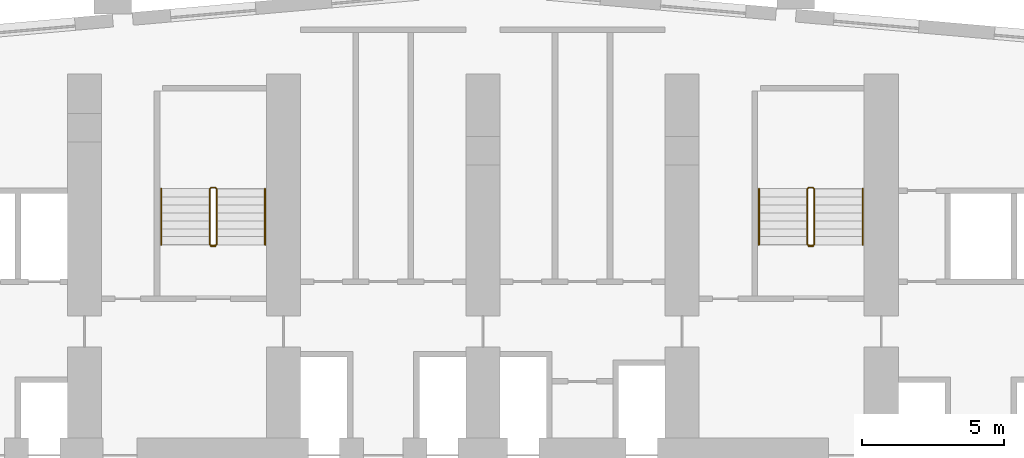
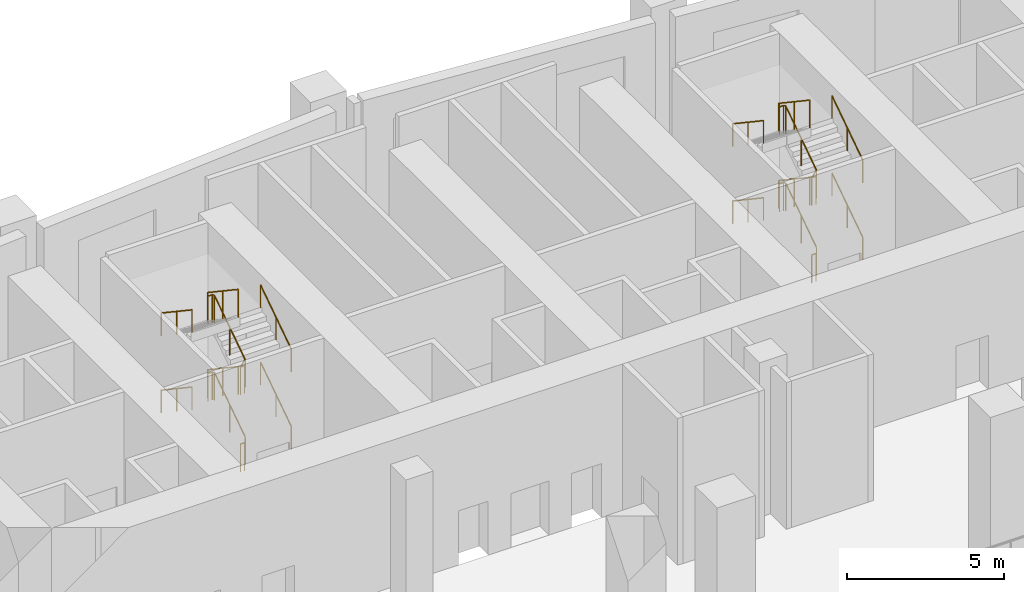
# One storey, part 29 of 30: 12 railings.
"""IFC4 building model written with IfcOpenShell, lengths in metres."""

import ifcopenshell
import ifcopenshell.guid

model = None  # the IFC model being written
_history = None  # IfcOwnerHistory: only IFC2X3 demands one
_inside = {}  # id of a spatial element -> (the spatial element, [elements in it])
_under = {}  # id of a project, library or spatial element -> (it, [spatial elements below it])
_declared = {}  # id of a project -> (the project, [libraries it declares])
_typed = {}  # id of a type object -> (the type object, [elements of that type])
_made_of = {}  # id of a material, layer set ... -> (it, [elements and type objects made of it])


def new_model(schema):
    """Start an empty IFC model of exactly this schema.

    Asked for "IFC4X3", IfcOpenShell would pick the latest addendum, in which some entities
    have other attributes; the version numbers below select the first issue.
    IFC2X3 requires an IfcOwnerHistory on every rooted entity: one is made here for all.
    """
    global model, _history
    if schema == "IFC4X3":
        model = ifcopenshell.file(schema_version=(4, 3, 0, 0))
    else:
        model = ifcopenshell.file(schema=schema)
    _inside.clear()
    _under.clear()
    _declared.clear()
    _typed.clear()
    _made_of.clear()
    _history = None
    if model.schema == "IFC2X3":
        org = make("IfcOrganization", Name="unknown")
        user = make(
            "IfcPersonAndOrganization",
            ThePerson=make("IfcPerson", FamilyName="unknown"),
            TheOrganization=org,
        )
        app = make(
            "IfcApplication",
            ApplicationDeveloper=org,
            Version="unknown",
            ApplicationFullName="unknown",
            ApplicationIdentifier="unknown",
        )
        _history = make(
            "IfcOwnerHistory",
            OwningUser=user,
            OwningApplication=app,
            ChangeAction="ADDED",
            CreationDate=0,
        )
    return model


def make(cls, **values):
    """One entity of the class cls with the attributes given. An attribute that is None is left unset."""
    return model.create_entity(
        cls, **{name: value for name, value in values.items() if value is not None}
    )


def rooted(cls, **values):
    """An entity with a GlobalId (a new one), such as an element, a storey or a relation."""
    return make(cls, GlobalId=ifcopenshell.guid.new(), OwnerHistory=_history, **values)


def si_unit(unit_type, name, prefix=None):
    """IfcSIUnit, for example si_unit("LENGTHUNIT", "METRE", prefix="MILLI")."""
    return make("IfcSIUnit", UnitType=unit_type, Prefix=prefix, Name=name)


def assignment(units):
    """IfcUnitAssignment: the units of a project."""
    return None if units is None else make("IfcUnitAssignment", Units=units)


def point(xyz):
    """IfcCartesianPoint."""
    return None if xyz is None else make("IfcCartesianPoint", Coordinates=xyz)


def direction(xyz):
    """IfcDirection."""
    return None if xyz is None else make("IfcDirection", DirectionRatios=xyz)


def frame(location, z_axis=None, x_axis=None):
    """IfcAxis2Placement3D, a coordinate frame: its origin and axes. An axis left out is left unset."""
    return make(
        "IfcAxis2Placement3D",
        Location=point(location),
        Axis=direction(z_axis),
        RefDirection=direction(x_axis),
    )


def frame_2d(location, x_axis=None):
    """IfcAxis2Placement2D, a coordinate frame in the plane: its origin and x axis."""
    return make(
        "IfcAxis2Placement2D", Location=point(location), RefDirection=direction(x_axis)
    )


def origin():
    """The frame at (0, 0, 0) with its axes left unset."""
    return frame((0.0, 0.0, 0.0))


def origin_2d():
    """The frame at (0, 0) in the plane with its x axis left unset."""
    return frame_2d((0.0, 0.0))


def place(relative_to, where):
    """IfcLocalPlacement: puts the frame where relative to a parent placement (None: the world)."""
    return make(
        "IfcLocalPlacement", PlacementRelTo=relative_to, RelativePlacement=where
    )


def context(
    kind, dimensions, precision=None, world=None, true_north=None, identifier=None
):
    """IfcGeometricRepresentationContext, for example the 3D "Model" context."""
    return make(
        "IfcGeometricRepresentationContext",
        ContextIdentifier=identifier,
        ContextType=kind,
        CoordinateSpaceDimension=dimensions,
        Precision=precision,
        WorldCoordinateSystem=world,
        TrueNorth=true_north,
    )


def subcontext(parent, identifier, kind, view, scale=None):
    """IfcGeometricRepresentationSubContext, for example "Body" below "Model"."""
    return make(
        "IfcGeometricRepresentationSubContext",
        ContextIdentifier=identifier,
        ContextType=kind,
        ParentContext=parent,
        TargetScale=scale,
        TargetView=view,
    )


def project(units=None, contexts=None):
    """IfcProject with its units and contexts."""
    return rooted(
        "IfcProject",
        Name="project",
        RepresentationContexts=contexts,
        UnitsInContext=assignment(units),
    )


def spatial(cls, under=None, at=None, **own):
    """A site, building, storey or space (cls), placed at a placement, below another one or the project."""
    s = rooted(cls, ObjectPlacement=at, **own)
    if under is not None:
        _under.setdefault(under.id(), (under, []))[1].append(s)
    return s


def profile(cls, at=None, kind="AREA", **sizes):
    """A parametric profile (cls). Its sizes go by their IFC names, for example OverallWidth=200.0."""
    return make(cls, ProfileType=kind, Position=at, **sizes)


def circle(**sizes):
    """IfcCircleProfileDef."""
    return profile("IfcCircleProfileDef", **sizes)


def extrude(swept, where, along, depth):
    """IfcExtrudedAreaSolid: the profile swept, set in the frame where, extruded along a direction by depth."""
    return make(
        "IfcExtrudedAreaSolid",
        SweptArea=swept,
        Position=where,
        ExtrudedDirection=direction(along),
        Depth=depth,
    )


def shape(context_of_items, identifier, shape_type, items):
    """IfcShapeRepresentation: the items that make up one representation, for example the "Body"."""
    return make(
        "IfcShapeRepresentation",
        ContextOfItems=context_of_items,
        RepresentationIdentifier=identifier,
        RepresentationType=shape_type,
        Items=items,
    )


def material(Name=None, Category=None):
    """IfcMaterial."""
    return make("IfcMaterial", Name=Name, Category=Category)


def made_of(thing, what):
    """Note that an element or type object is made of a material, layer set ...; save() writes the relation."""
    if what is not None:
        _made_of.setdefault(what.id(), (what, []))[1].append(thing)
    return thing


def type_object(cls, material=None, **own):
    """A type object (cls), such as IfcWallType, which elements share."""
    return made_of(rooted(cls, **own), material)


def element(
    cls,
    number,
    at=None,
    inside=None,
    cuts=None,
    type_object=None,
    material=None,
    context=None,
    identifier="Body",
    shape_type=None,
    held_by="IfcProductDefinitionShape",
    body=None,
    shapes=None,
    **own,
):
    """One element of the class cls, such as IfcWall. Its Tag is "e" and its number.

    at: its placement. inside: the storey or other place that contains it. cuts: it is an
    opening in that element (IfcRelVoidsElement). A single representation is given by context,
    identifier, shape_type and body (its items); several are given by shapes. held_by: the class
    of the entity that holds the representations. save() writes the other relations.
    """
    e = rooted(cls, Tag="e%d" % number, ObjectPlacement=at, **own)
    if body is not None:
        shapes = [shape(context, identifier, shape_type, body)]
    if shapes is not None:
        e.Representation = make(held_by, Representations=shapes)
    if inside is not None:
        _inside.setdefault(inside.id(), (inside, []))[1].append(e)
    if cuts is not None:
        rooted(
            "IfcRelVoidsElement", RelatingBuildingElement=cuts, RelatedOpeningElement=e
        )
    if type_object is not None:
        _typed.setdefault(type_object.id(), (type_object, []))[1].append(e)
    return made_of(e, material)


def aggregate(whole, parts):
    """IfcRelAggregates: a whole, such as a stair, and the parts it consists of."""
    return rooted("IfcRelAggregates", RelatingObject=whole, RelatedObjects=parts)


def save(model, path):
    """Write the relations noted so far, then the file.

    IfcRelAggregates (storeys below a building ...), IfcRelContainedInSpatialStructure (elements
    in a storey), IfcRelDefinesByType, IfcRelAssociatesMaterial and IfcRelDeclares: one each for
    every whole, place, type object, material and project.
    """
    for whole, parts in _under.values():
        aggregate(whole, parts)
    for where, things in _inside.values():
        rooted(
            "IfcRelContainedInSpatialStructure",
            RelatedElements=things,
            RelatingStructure=where,
        )
    for kind, things in _typed.values():
        rooted("IfcRelDefinesByType", RelatedObjects=things, RelatingType=kind)
    for what, things in _made_of.values():
        rooted("IfcRelAssociatesMaterial", RelatedObjects=things, RelatingMaterial=what)
    for by, libraries in _declared.values():
        rooted("IfcRelDeclares", RelatingContext=by, RelatedDefinitions=libraries)
    model.write(path)


model = new_model("IFC4")

# Units and contexts
model_context = context("Model", 3, precision=1e-05, world=origin(), true_north=direction((0.0, 1.0)))
body_context = subcontext(model_context, "Body", "Model", "MODEL_VIEW")
ifc_project = project(units=[si_unit("LENGTHUNIT", "METRE"), si_unit("AREAUNIT", "SQUARE_METRE"), si_unit("VOLUMEUNIT", "CUBIC_METRE"), si_unit("PLANEANGLEUNIT", "RADIAN"), si_unit("MASSUNIT", "GRAM", prefix="KILO")], contexts=[model_context])

# Site, building, storey
site_placement = place(None, origin())
site = spatial("IfcSite", under=ifc_project, at=site_placement, CompositionType="ELEMENT")
building_placement = place(site_placement, origin())
building = spatial("IfcBuilding", under=site, at=building_placement, Name="Wharfspan Tower", CompositionType="ELEMENT")
storey_placement = place(building_placement, frame((0.0, 0.0, 21.5)))
storey = spatial("IfcBuildingStorey", under=building, at=storey_placement, Name="L03", CompositionType="ELEMENT", Elevation=21.5)

# Railings
ifc_material = material(Name="Steel S355J2", Category="steel")
railing_type_1 = type_object("IfcRailingType", Name="Stair guard 1100", PredefinedType="GUARDRAIL", material=ifc_material)
railing_1_placement = place(storey_placement, frame((27.649902, 42.0, 0.1875)))
element("IfcRailing", 1, at=railing_1_placement, inside=storey, type_object=railing_type_1, Name="L03 ST1 stair guard 1", PredefinedType="GUARDRAIL", context=body_context, shape_type="SweptSolid", body=[
    extrude(circle(Radius=0.023926, at=origin_2d()), frame((0.0, 0.0, 1.076172), z_axis=(0.0, 0.830902, 0.556419), x_axis=(-1.0, 0.0, 0.0)), (0.0, 0.0, 1.0), 2.358887),
    extrude(circle(Radius=0.023926, at=origin_2d()), frame((0.0, 1.959961, 2.388672), z_axis=(-0.705376, 0.708834, 0.0), x_axis=(-0.708834, -0.705376, 0.0)), (0.0, 0.0, 1.0), 0.070557),
    extrude(circle(Radius=0.023926, at=origin_2d()), frame((-0.049805, 2.01001, 2.388672), z_axis=(-1.0, 0.0, 0.0), x_axis=(0.0, -1.0, 0.0)), (0.0, 0.0, 1.0), 0.150146),
    extrude(circle(Radius=0.023926, at=origin_2d()), frame((-0.199951, 2.01001, 2.388672), z_axis=(-0.249726, -0.249726, 0.93556), x_axis=(0.707107, -0.707107, 0.0)), (0.0, 0.0, 1.0), 0.200439),
    extrude(circle(Radius=0.023926, at=origin_2d()), frame((-0.25, 1.959961, 2.576172), z_axis=(0.0, -0.830902, 0.556419), x_axis=(1.0, 0.0, 0.0)), (0.0, 0.0, 1.0), 2.358887),
    extrude(circle(Radius=0.023926, at=origin_2d()), frame((-0.25, 0.0, 3.888672), z_axis=(0.970143, -0.242536, 0.0), x_axis=(0.242536, 0.970143, 0.0)), (0.0, 0.0, 1.0), 0.206299),
    extrude(circle(Radius=0.023926, at=origin_2d()), frame((-0.049805, -0.050049, 3.888672), z_axis=(-1.0, 0.0, 0.0), x_axis=(0.0, -1.0, 0.0)), (0.0, 0.0, 1.0), 0.150146),
    extrude(circle(Radius=0.023926, at=origin_2d()), frame((-0.199951, -0.050049, 3.888672), z_axis=(0.717591, 0.179617, 0.672905), x_axis=(-0.242812, 0.97007, -2e-06)), (0.0, 0.0, 1.0), 0.278564),
    extrude(circle(Radius=0.023926, at=origin_2d()), frame((0.0, 0.0, 4.076172), z_axis=(0.0, 0.830902, 0.556419), x_axis=(-1.0, 0.0, 0.0)), (0.0, 0.0, 1.0), 2.358887),
    extrude(circle(Radius=0.023926, at=origin_2d()), frame((0.0, 1.959961, 5.388672), z_axis=(-0.705376, 0.708834, 0.0), x_axis=(-0.708834, -0.705376, 0.0)), (0.0, 0.0, 1.0), 0.070557),
    extrude(circle(Radius=0.023926, at=origin_2d()), frame((-0.049805, 2.01001, 5.388672), z_axis=(-1.0, 0.0, 0.0), x_axis=(0.0, -1.0, 0.0)), (0.0, 0.0, 1.0), 0.150146),
    extrude(circle(Radius=0.023926, at=origin_2d()), frame((-0.199951, 2.01001, 5.388672), z_axis=(-0.249726, -0.249726, 0.93556), x_axis=(0.707107, -0.707107, 0.0)), (0.0, 0.0, 1.0), 0.200439),
    extrude(circle(Radius=0.023926, at=origin_2d()), frame((-0.25, 1.959961, 5.576172), z_axis=(0.0, -0.830902, 0.556419), x_axis=(1.0, 0.0, 0.0)), (0.0, 0.0, 1.0), 2.358887),
    extrude(circle(Radius=0.020996, at=origin_2d()), origin(), (0.0, 0.0, 1.0), 1.052002),
    extrude(circle(Radius=0.020996, at=origin_2d()), frame((0.0, 0.97998, 0.65625)), (0.0, 0.0, 1.0), 1.052002),
    extrude(circle(Radius=0.020996, at=origin_2d()), frame((0.0, 1.959961, 1.3125)), (0.0, 0.0, 1.0), 1.052002),
    extrude(circle(Radius=0.020996, at=origin_2d()), frame((-0.049805, 2.01001, 1.3125)), (0.0, 0.0, 1.0), 1.052002),
    extrude(circle(Radius=0.020996, at=origin_2d()), frame((-0.199951, 2.01001, 1.3125)), (0.0, 0.0, 1.0), 1.052002),
    extrude(circle(Radius=0.020996, at=origin_2d()), frame((-0.25, 1.959961, 1.5)), (0.0, 0.0, 1.0), 1.052002),
    extrude(circle(Radius=0.020996, at=origin_2d()), frame((-0.25, 0.97998, 2.15625)), (0.0, 0.0, 1.0), 1.052002),
    extrude(circle(Radius=0.020996, at=origin_2d()), frame((-0.25, 0.0, 2.8125)), (0.0, 0.0, 1.0), 1.052002),
    extrude(circle(Radius=0.020996, at=origin_2d()), frame((-0.049805, -0.050049, 2.8125)), (0.0, 0.0, 1.0), 1.052002),
    extrude(circle(Radius=0.020996, at=origin_2d()), frame((-0.199951, -0.050049, 2.8125)), (0.0, 0.0, 1.0), 1.052002),
    extrude(circle(Radius=0.020996, at=origin_2d()), frame((0.0, 0.0, 3.0)), (0.0, 0.0, 1.0), 1.052002),
    extrude(circle(Radius=0.020996, at=origin_2d()), frame((0.0, 0.97998, 3.65625)), (0.0, 0.0, 1.0), 1.052002),
    extrude(circle(Radius=0.020996, at=origin_2d()), frame((0.0, 1.959961, 4.3125)), (0.0, 0.0, 1.0), 1.052002),
    extrude(circle(Radius=0.020996, at=origin_2d()), frame((-0.049805, 2.01001, 4.3125)), (0.0, 0.0, 1.0), 1.052002),
    extrude(circle(Radius=0.020996, at=origin_2d()), frame((-0.199951, 2.01001, 4.3125)), (0.0, 0.0, 1.0), 1.052002),
    extrude(circle(Radius=0.020996, at=origin_2d()), frame((-0.25, 1.959961, 4.5)), (0.0, 0.0, 1.0), 1.052002),
    extrude(circle(Radius=0.020996, at=origin_2d()), frame((-0.25, 0.97998, 5.15625)), (0.0, 0.0, 1.0), 1.052002),
    extrude(circle(Radius=0.020996, at=origin_2d()), frame((-0.25, 0.0, 5.8125)), (0.0, 0.0, 1.0), 1.052002),
])
railing_2_placement = place(storey_placement, frame((27.600098, 41.949951, 0.0)))
element("IfcRailing", 2, at=railing_2_placement, inside=storey, type_object=railing_type_1, Name="L03 ST1 stair guard 2", PredefinedType="GUARDRAIL", context=body_context, shape_type="SweptSolid", body=[
    extrude(circle(Radius=0.023926, at=origin_2d()), frame((0.0, 0.0, 1.076172), z_axis=(-1.0, 0.0, 0.0), x_axis=(0.0, -1.0, 0.0)), (0.0, 0.0, 1.0), 0.150146),
    extrude(circle(Radius=0.020996, at=origin_2d()), origin(), (0.0, 0.0, 1.0), 1.052002),
    extrude(circle(Radius=0.020996, at=origin_2d()), frame((-0.150146, 0.0, 0.0)), (0.0, 0.0, 1.0), 1.052002),
])
railing_3_placement = place(storey_placement, frame((48.649902, 42.0, 0.1875)))
element("IfcRailing", 3, at=railing_3_placement, inside=storey, type_object=railing_type_1, Name="L03 ST2 stair guard 1", PredefinedType="GUARDRAIL", context=body_context, shape_type="SweptSolid", body=[
    extrude(circle(Radius=0.023926, at=origin_2d()), frame((0.0, 0.0, 1.076172), z_axis=(0.0, 0.830902, 0.556419), x_axis=(-1.0, 0.0, 0.0)), (0.0, 0.0, 1.0), 2.358887),
    extrude(circle(Radius=0.023926, at=origin_2d()), frame((0.0, 1.959961, 2.388672), z_axis=(-0.705376, 0.708834, 0.0), x_axis=(-0.708834, -0.705376, 0.0)), (0.0, 0.0, 1.0), 0.070557),
    extrude(circle(Radius=0.023926, at=origin_2d()), frame((-0.049805, 2.01001, 2.388672), z_axis=(-1.0, 0.0, 0.0), x_axis=(0.0, -1.0, 0.0)), (0.0, 0.0, 1.0), 0.150146),
    extrude(circle(Radius=0.023926, at=origin_2d()), frame((-0.199951, 2.01001, 2.388672), z_axis=(-0.249726, -0.249726, 0.93556), x_axis=(0.707107, -0.707107, 0.0)), (0.0, 0.0, 1.0), 0.200439),
    extrude(circle(Radius=0.023926, at=origin_2d()), frame((-0.25, 1.959961, 2.576172), z_axis=(0.0, -0.830902, 0.556419), x_axis=(1.0, 0.0, 0.0)), (0.0, 0.0, 1.0), 2.358887),
    extrude(circle(Radius=0.023926, at=origin_2d()), frame((-0.25, 0.0, 3.888672), z_axis=(0.970143, -0.242536, 0.0), x_axis=(0.242536, 0.970143, 0.0)), (0.0, 0.0, 1.0), 0.206299),
    extrude(circle(Radius=0.023926, at=origin_2d()), frame((-0.049805, -0.050049, 3.888672), z_axis=(-1.0, 0.0, 0.0), x_axis=(0.0, -1.0, 0.0)), (0.0, 0.0, 1.0), 0.150146),
    extrude(circle(Radius=0.023926, at=origin_2d()), frame((-0.199951, -0.050049, 3.888672), z_axis=(0.717591, 0.179617, 0.672905), x_axis=(-0.242812, 0.97007, -2e-06)), (0.0, 0.0, 1.0), 0.278564),
    extrude(circle(Radius=0.023926, at=origin_2d()), frame((0.0, 0.0, 4.076172), z_axis=(0.0, 0.830902, 0.556419), x_axis=(-1.0, 0.0, 0.0)), (0.0, 0.0, 1.0), 2.358887),
    extrude(circle(Radius=0.023926, at=origin_2d()), frame((0.0, 1.959961, 5.388672), z_axis=(-0.705376, 0.708834, 0.0), x_axis=(-0.708834, -0.705376, 0.0)), (0.0, 0.0, 1.0), 0.070557),
    extrude(circle(Radius=0.023926, at=origin_2d()), frame((-0.049805, 2.01001, 5.388672), z_axis=(-1.0, 0.0, 0.0), x_axis=(0.0, -1.0, 0.0)), (0.0, 0.0, 1.0), 0.150146),
    extrude(circle(Radius=0.023926, at=origin_2d()), frame((-0.199951, 2.01001, 5.388672), z_axis=(-0.249726, -0.249726, 0.93556), x_axis=(0.707107, -0.707107, 0.0)), (0.0, 0.0, 1.0), 0.200439),
    extrude(circle(Radius=0.023926, at=origin_2d()), frame((-0.25, 1.959961, 5.576172), z_axis=(0.0, -0.830902, 0.556419), x_axis=(1.0, 0.0, 0.0)), (0.0, 0.0, 1.0), 2.358887),
    extrude(circle(Radius=0.020996, at=origin_2d()), origin(), (0.0, 0.0, 1.0), 1.052002),
    extrude(circle(Radius=0.020996, at=origin_2d()), frame((0.0, 0.97998, 0.65625)), (0.0, 0.0, 1.0), 1.052002),
    extrude(circle(Radius=0.020996, at=origin_2d()), frame((0.0, 1.959961, 1.3125)), (0.0, 0.0, 1.0), 1.052002),
    extrude(circle(Radius=0.020996, at=origin_2d()), frame((-0.049805, 2.01001, 1.3125)), (0.0, 0.0, 1.0), 1.052002),
    extrude(circle(Radius=0.020996, at=origin_2d()), frame((-0.199951, 2.01001, 1.3125)), (0.0, 0.0, 1.0), 1.052002),
    extrude(circle(Radius=0.020996, at=origin_2d()), frame((-0.25, 1.959961, 1.5)), (0.0, 0.0, 1.0), 1.052002),
    extrude(circle(Radius=0.020996, at=origin_2d()), frame((-0.25, 0.97998, 2.15625)), (0.0, 0.0, 1.0), 1.052002),
    extrude(circle(Radius=0.020996, at=origin_2d()), frame((-0.25, 0.0, 2.8125)), (0.0, 0.0, 1.0), 1.052002),
    extrude(circle(Radius=0.020996, at=origin_2d()), frame((-0.049805, -0.050049, 2.8125)), (0.0, 0.0, 1.0), 1.052002),
    extrude(circle(Radius=0.020996, at=origin_2d()), frame((-0.199951, -0.050049, 2.8125)), (0.0, 0.0, 1.0), 1.052002),
    extrude(circle(Radius=0.020996, at=origin_2d()), frame((0.0, 0.0, 3.0)), (0.0, 0.0, 1.0), 1.052002),
    extrude(circle(Radius=0.020996, at=origin_2d()), frame((0.0, 0.97998, 3.65625)), (0.0, 0.0, 1.0), 1.052002),
    extrude(circle(Radius=0.020996, at=origin_2d()), frame((0.0, 1.959961, 4.3125)), (0.0, 0.0, 1.0), 1.052002),
    extrude(circle(Radius=0.020996, at=origin_2d()), frame((-0.049805, 2.01001, 4.3125)), (0.0, 0.0, 1.0), 1.052002),
    extrude(circle(Radius=0.020996, at=origin_2d()), frame((-0.199951, 2.01001, 4.3125)), (0.0, 0.0, 1.0), 1.052002),
    extrude(circle(Radius=0.020996, at=origin_2d()), frame((-0.25, 1.959961, 4.5)), (0.0, 0.0, 1.0), 1.052002),
    extrude(circle(Radius=0.020996, at=origin_2d()), frame((-0.25, 0.97998, 5.15625)), (0.0, 0.0, 1.0), 1.052002),
    extrude(circle(Radius=0.020996, at=origin_2d()), frame((-0.25, 0.0, 5.8125)), (0.0, 0.0, 1.0), 1.052002),
])
railing_4_placement = place(storey_placement, frame((48.600098, 41.949951, 0.0)))
element("IfcRailing", 4, at=railing_4_placement, inside=storey, type_object=railing_type_1, Name="L03 ST2 stair guard 2", PredefinedType="GUARDRAIL", context=body_context, shape_type="SweptSolid", body=[
    extrude(circle(Radius=0.023926, at=origin_2d()), frame((0.0, 0.0, 1.076172), z_axis=(-1.0, 0.0, 0.0), x_axis=(0.0, -1.0, 0.0)), (0.0, 0.0, 1.0), 0.150146),
    extrude(circle(Radius=0.020996, at=origin_2d()), origin(), (0.0, 0.0, 1.0), 1.052002),
    extrude(circle(Radius=0.020996, at=origin_2d()), frame((-0.150146, 0.0, 0.0)), (0.0, 0.0, 1.0), 1.052002),
])
railing_type_2 = type_object("IfcRailingType", Name="Stair handrail 900", PredefinedType="HANDRAIL", material=ifc_material)
railing_5_placement = place(storey_placement, frame((29.350098, 42.0, 0.1875)))
element("IfcRailing", 5, at=railing_5_placement, inside=storey, type_object=railing_type_2, Name="L03 ST1 stair handrail 1", PredefinedType="HANDRAIL", context=body_context, shape_type="SweptSolid", body=[
    extrude(circle(Radius=0.023926, at=origin_2d()), frame((0.0, 0.0, 0.875977), z_axis=(0.0, 0.830902, 0.556419), x_axis=(-1.0, 0.0, 0.0)), (0.0, 0.0, 1.0), 2.358887),
    extrude(circle(Radius=0.020996, at=origin_2d()), origin(), (0.0, 0.0, 1.0), 0.851807),
    extrude(circle(Radius=0.020996, at=origin_2d()), frame((0.0, 0.97998, 0.65625)), (0.0, 0.0, 1.0), 0.851807),
    extrude(circle(Radius=0.020996, at=origin_2d()), frame((0.0, 1.959961, 1.3125)), (0.0, 0.0, 1.0), 0.851807),
])
railing_6_placement = place(storey_placement, frame((25.699951, 43.959961, 1.6875)))
element("IfcRailing", 6, at=railing_6_placement, inside=storey, type_object=railing_type_2, Name="L03 ST1 stair handrail 2", PredefinedType="HANDRAIL", context=body_context, shape_type="SweptSolid", body=[
    extrude(circle(Radius=0.023926, at=origin_2d()), frame((0.0, 0.0, 0.875977), z_axis=(0.0, -0.830902, 0.556419), x_axis=(1.0, 0.0, 0.0)), (0.0, 0.0, 1.0), 2.358887),
    extrude(circle(Radius=0.020996, at=origin_2d()), origin(), (0.0, 0.0, 1.0), 0.851807),
    extrude(circle(Radius=0.020996, at=origin_2d()), frame((0.0, -0.97998, 0.65625)), (0.0, 0.0, 1.0), 0.851807),
    extrude(circle(Radius=0.020996, at=origin_2d()), frame((0.0, -1.959961, 1.3125)), (0.0, 0.0, 1.0), 0.851807),
])
railing_7_placement = place(storey_placement, frame((29.350098, 42.0, 3.1875)))
element("IfcRailing", 7, at=railing_7_placement, inside=storey, type_object=railing_type_2, Name="L03 ST1 stair handrail 3", PredefinedType="HANDRAIL", context=body_context, shape_type="SweptSolid", body=[
    extrude(circle(Radius=0.023926, at=origin_2d()), frame((0.0, 0.0, 0.875977), z_axis=(0.0, 0.830902, 0.556419), x_axis=(-1.0, 0.0, 0.0)), (0.0, 0.0, 1.0), 2.358887),
    extrude(circle(Radius=0.020996, at=origin_2d()), origin(), (0.0, 0.0, 1.0), 0.851807),
    extrude(circle(Radius=0.020996, at=origin_2d()), frame((0.0, 0.97998, 0.65625)), (0.0, 0.0, 1.0), 0.851807),
    extrude(circle(Radius=0.020996, at=origin_2d()), frame((0.0, 1.959961, 1.3125)), (0.0, 0.0, 1.0), 0.851807),
])
railing_8_placement = place(storey_placement, frame((25.699951, 43.959961, 4.6875)))
element("IfcRailing", 8, at=railing_8_placement, inside=storey, type_object=railing_type_2, Name="L03 ST1 stair handrail 4", PredefinedType="HANDRAIL", context=body_context, shape_type="SweptSolid", body=[
    extrude(circle(Radius=0.023926, at=origin_2d()), frame((0.0, 0.0, 0.875977), z_axis=(0.0, -0.830902, 0.556419), x_axis=(1.0, 0.0, 0.0)), (0.0, 0.0, 1.0), 2.358887),
    extrude(circle(Radius=0.020996, at=origin_2d()), origin(), (0.0, 0.0, 1.0), 0.851807),
    extrude(circle(Radius=0.020996, at=origin_2d()), frame((0.0, -0.97998, 0.65625)), (0.0, 0.0, 1.0), 0.851807),
    extrude(circle(Radius=0.020996, at=origin_2d()), frame((0.0, -1.959961, 1.3125)), (0.0, 0.0, 1.0), 0.851807),
])
railing_9_placement = place(storey_placement, frame((50.350098, 42.0, 0.1875)))
element("IfcRailing", 9, at=railing_9_placement, inside=storey, type_object=railing_type_2, Name="L03 ST2 stair handrail 1", PredefinedType="HANDRAIL", context=body_context, shape_type="SweptSolid", body=[
    extrude(circle(Radius=0.023926, at=origin_2d()), frame((0.0, 0.0, 0.875977), z_axis=(0.0, 0.830902, 0.556419), x_axis=(-1.0, 0.0, 0.0)), (0.0, 0.0, 1.0), 2.358887),
    extrude(circle(Radius=0.020996, at=origin_2d()), origin(), (0.0, 0.0, 1.0), 0.851807),
    extrude(circle(Radius=0.020996, at=origin_2d()), frame((0.0, 0.97998, 0.65625)), (0.0, 0.0, 1.0), 0.851807),
    extrude(circle(Radius=0.020996, at=origin_2d()), frame((0.0, 1.959961, 1.3125)), (0.0, 0.0, 1.0), 0.851807),
])
railing_10_placement = place(storey_placement, frame((46.699951, 43.959961, 1.6875)))
element("IfcRailing", 10, at=railing_10_placement, inside=storey, type_object=railing_type_2, Name="L03 ST2 stair handrail 2", PredefinedType="HANDRAIL", context=body_context, shape_type="SweptSolid", body=[
    extrude(circle(Radius=0.023926, at=origin_2d()), frame((0.0, 0.0, 0.875977), z_axis=(0.0, -0.830902, 0.556419), x_axis=(1.0, 0.0, 0.0)), (0.0, 0.0, 1.0), 2.358887),
    extrude(circle(Radius=0.020996, at=origin_2d()), origin(), (0.0, 0.0, 1.0), 0.851807),
    extrude(circle(Radius=0.020996, at=origin_2d()), frame((0.0, -0.97998, 0.65625)), (0.0, 0.0, 1.0), 0.851807),
    extrude(circle(Radius=0.020996, at=origin_2d()), frame((0.0, -1.959961, 1.3125)), (0.0, 0.0, 1.0), 0.851807),
])
railing_11_placement = place(storey_placement, frame((50.350098, 42.0, 3.1875)))
element("IfcRailing", 11, at=railing_11_placement, inside=storey, type_object=railing_type_2, Name="L03 ST2 stair handrail 3", PredefinedType="HANDRAIL", context=body_context, shape_type="SweptSolid", body=[
    extrude(circle(Radius=0.023926, at=origin_2d()), frame((0.0, 0.0, 0.875977), z_axis=(0.0, 0.830902, 0.556419), x_axis=(-1.0, 0.0, 0.0)), (0.0, 0.0, 1.0), 2.358887),
    extrude(circle(Radius=0.020996, at=origin_2d()), origin(), (0.0, 0.0, 1.0), 0.851807),
    extrude(circle(Radius=0.020996, at=origin_2d()), frame((0.0, 0.97998, 0.65625)), (0.0, 0.0, 1.0), 0.851807),
    extrude(circle(Radius=0.020996, at=origin_2d()), frame((0.0, 1.959961, 1.3125)), (0.0, 0.0, 1.0), 0.851807),
])
railing_12_placement = place(storey_placement, frame((46.699951, 43.959961, 4.6875)))
element("IfcRailing", 12, at=railing_12_placement, inside=storey, type_object=railing_type_2, Name="L03 ST2 stair handrail 4", PredefinedType="HANDRAIL", context=body_context, shape_type="SweptSolid", body=[
    extrude(circle(Radius=0.023926, at=origin_2d()), frame((0.0, 0.0, 0.875977), z_axis=(0.0, -0.830902, 0.556419), x_axis=(1.0, 0.0, 0.0)), (0.0, 0.0, 1.0), 2.358887),
    extrude(circle(Radius=0.020996, at=origin_2d()), origin(), (0.0, 0.0, 1.0), 0.851807),
    extrude(circle(Radius=0.020996, at=origin_2d()), frame((0.0, -0.97998, 0.65625)), (0.0, 0.0, 1.0), 0.851807),
    extrude(circle(Radius=0.020996, at=origin_2d()), frame((0.0, -1.959961, 1.3125)), (0.0, 0.0, 1.0), 0.851807),
])

save(model, "model.ifc")
